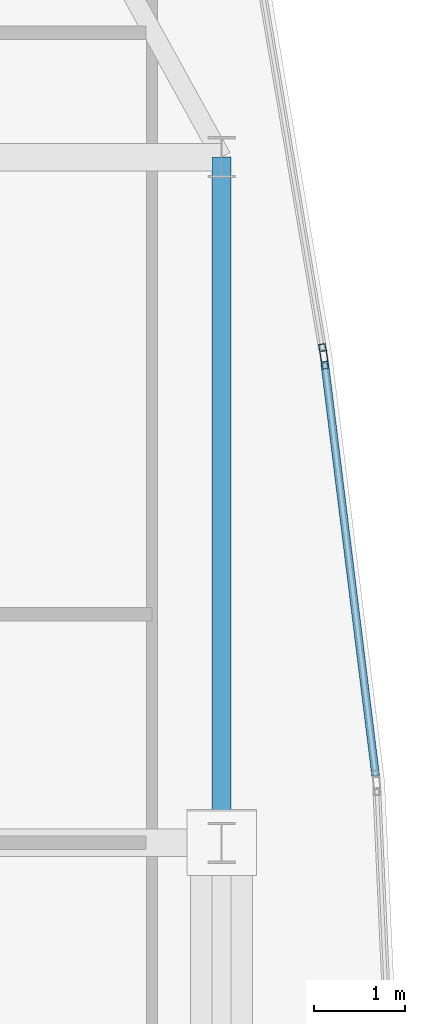
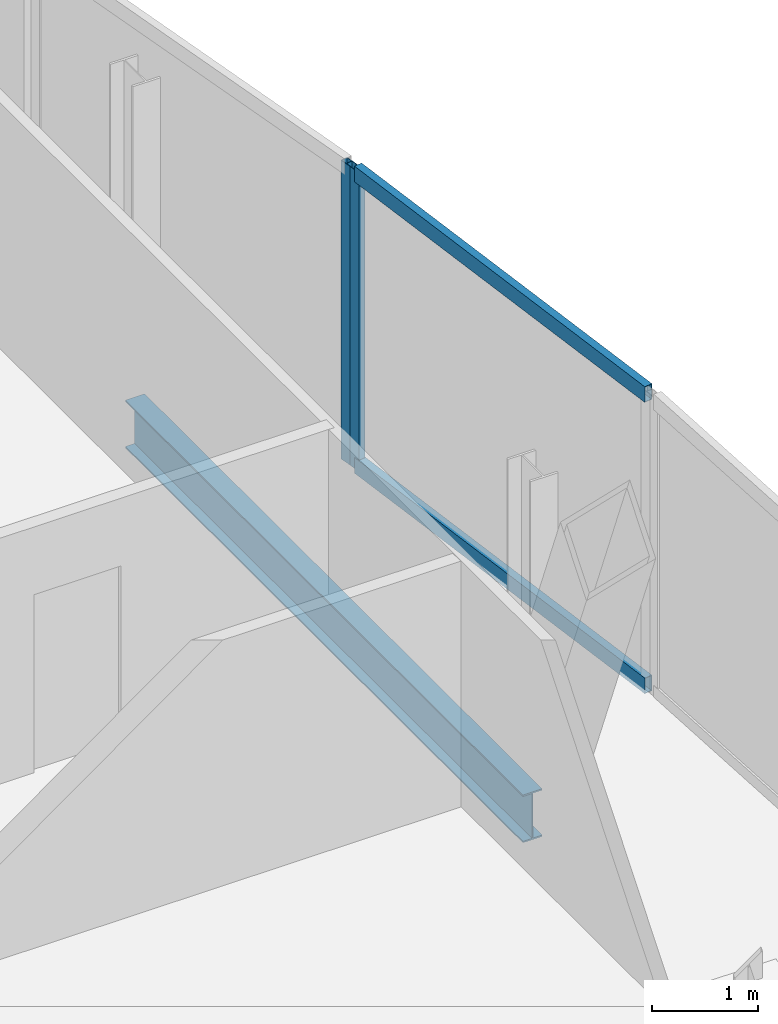
# One storey, part 19 of 29: 4 members, 1 beam, 2 elements without a shape of their own.
"""IFC4 building model written with IfcOpenShell, lengths in metres."""

from ifc_helpers import new_model, si_unit, direction, frame, origin, origin_2d, place, context, subcontext, project, spatial, hollow_rectangle, i_section, extrude, material, material_profile, profile_set, type_object, element, aggregate, save


model = new_model("IFC4")

# Units and contexts
model_context = context("Model", 3, precision=1e-05, world=origin(), true_north=direction((0.0, 1.0)))
body_context = subcontext(model_context, "Body", "Model", "MODEL_VIEW")
ifc_project = project(units=[si_unit("LENGTHUNIT", "METRE"), si_unit("AREAUNIT", "SQUARE_METRE"), si_unit("VOLUMEUNIT", "CUBIC_METRE"), si_unit("PLANEANGLEUNIT", "RADIAN"), si_unit("MASSUNIT", "GRAM", prefix="KILO")], contexts=[model_context])

# Site, building, storey
site_placement = place(None, origin())
site = spatial("IfcSite", under=ifc_project, at=site_placement, CompositionType="ELEMENT")
building_placement = place(site_placement, origin())
building = spatial("IfcBuilding", under=site, at=building_placement, Name="Khoronbel Lancet Exchange", CompositionType="ELEMENT")
storey_placement = place(building_placement, frame((0.0, 0.0, 336.199951171875)))
storey = spatial("IfcBuildingStorey", under=building, at=storey_placement, Name="L87", CompositionType="ELEMENT", Elevation=336.199951171875)

# Beam
ifc_material_1 = material(Name="Steel S355", Category="steel")
ifc_material_profile_1 = material_profile(ifc_material_1, i_section(OverallWidth=0.2099609375, OverallDepth=0.550048828125, WebThickness=0.010986328125, FlangeThickness=0.01708984375, at=origin_2d()), Name="IPE 550")
ifc_profile_set_1 = profile_set([ifc_material_profile_1], Name="Steel S355")
beam_type = type_object("IfcBeamType", Name="BM-BSP3", PredefinedType="SPANDREL", material=ifc_profile_set_1)
beam_placement = place(storey_placement, frame((61.6298828125, 35.699951171875, -0.43505859375), z_axis=(0.0, 1.0, 0.0), x_axis=(-1.0, 0.0, 0.0)))
element("IfcBeam", 1, at=beam_placement, inside=storey, type_object=beam_type, Name="Level L87 perimeter spandrel beam SP12", PredefinedType="SPANDREL", context=body_context, shape_type="SweptSolid", body=[
    extrude(i_section(OverallWidth=0.2099609375, OverallDepth=0.550048828125, WebThickness=0.010986328125, FlangeThickness=0.01708984375, at=origin_2d()), origin(), (0.0, 0.0, 1.0), 7.5),
])

# Curtain wall, member
ifc_material_2 = material(Name="Low-E Solar Control Insulating Glass", Category="glass")
curtain_wall_type = type_object("IfcCurtainWallType", Name="CW-4", PredefinedType="NOTDEFINED", material=ifc_material_2)
curtain_wall_1_placement = place(storey_placement, origin())
curtain_wall_1 = element("IfcCurtainWall", 2, at=curtain_wall_1_placement, inside=storey, type_object=curtain_wall_type, Name="Unitised curtain wall CW-L87-E17", PredefinedType="NOTDEFINED")
ifc_material_3 = material(Name="Bronze-Anodised Aluminium 6063-T6", Category="aluminium")
ifc_material_profile_2 = material_profile(ifc_material_3, hollow_rectangle(XDim=0.074951171875, YDim=0.199951171875, WallThickness=0.0048828125, at=origin_2d()), Name="ALU MULLION 75x200")
ifc_profile_set_2 = profile_set([ifc_material_profile_2], Name="Bronze-Anodised Aluminium 6063-T6")
member_type_1 = type_object("IfcMemberType", Name="MEM-CWM2", PredefinedType="MULLION", material=ifc_profile_set_2)
member_1_placement = place(storey_placement, frame((62.7421875, 41.057373046875, 0.0), z_axis=(0.0, 0.0, 1.0), x_axis=(0.986059939458, 0.166390491902, 0.0)))
member_1 = element("IfcMember", 3, at=member_1_placement, type_object=member_type_1, Name="CW4 mullion 2", PredefinedType="MULLION", context=body_context, shape_type="SweptSolid", body=[
    extrude(hollow_rectangle(XDim=0.074951171875, YDim=0.199951171875, WallThickness=0.0048828125, at=origin_2d()), origin(), (0.0, 0.0, 1.0), 3.43994140625),
])
aggregate(curtain_wall_1, [member_1])

# Curtain wall, members
curtain_wall_2_placement = place(storey_placement, origin())
curtain_wall_2 = element("IfcCurtainWall", 4, at=curtain_wall_2_placement, inside=storey, type_object=curtain_wall_type, Name="Unitised curtain wall CW-L87-E18", PredefinedType="NOTDEFINED")
member_2_placement = place(storey_placement, frame((62.7529296875, 40.983154296875, 0.0), z_axis=(0.0, 0.0, 1.0), x_axis=(0.992456344352, 0.122598550384, 0.0)))
member_2 = element("IfcMember", 5, at=member_2_placement, type_object=member_type_1, Name="CW4 mullion 1", PredefinedType="MULLION", context=body_context, shape_type="SweptSolid", body=[
    extrude(hollow_rectangle(XDim=0.074951171875, YDim=0.199951171875, WallThickness=0.0048828125, at=origin_2d()), origin(), (0.0, 0.0, 1.0), 3.43994140625),
])
ifc_material_profile_3 = material_profile(ifc_material_3, hollow_rectangle(XDim=0.0849609375, YDim=0.179931640625, WallThickness=0.0048828125, at=origin_2d()), Name="ALU TRANSOM 85x180")
ifc_profile_set_3 = profile_set([ifc_material_profile_3], Name="Bronze-Anodised Aluminium 6063-T6")
member_type_2 = type_object("IfcMemberType", Name="MEM-CWT1", PredefinedType="USERDEFINED", material=ifc_profile_set_3)
member_3_placement = place(storey_placement, frame((62.757568359375, 40.94580078125, 0.04248046875), z_axis=(0.122593829963, -0.992456927456, 0.0), x_axis=(0.992456927456, 0.122593829963, 0.0)))
member_3 = element("IfcMember", 6, at=member_3_placement, type_object=member_type_2, Name="CW4 transom 1.1", ObjectType="TRANSOM", PredefinedType="USERDEFINED", context=body_context, shape_type="SweptSolid", body=[
    extrude(hollow_rectangle(XDim=0.0849609375, YDim=0.179931640625, WallThickness=0.0048828125, at=origin_2d()), origin(), (0.0, 0.0, 1.0), 4.54638671875),
])
member_4_placement = place(storey_placement, frame((62.757568359375, 40.94580078125, 3.3974609375), z_axis=(0.122593829963, -0.992456927456, 0.0), x_axis=(0.992456927456, 0.122593829963, 0.0)))
member_4 = element("IfcMember", 7, at=member_4_placement, type_object=member_type_2, Name="CW4 transom 1.2", ObjectType="TRANSOM", PredefinedType="USERDEFINED", context=body_context, shape_type="SweptSolid", body=[
    extrude(hollow_rectangle(XDim=0.0849609375, YDim=0.179931640625, WallThickness=0.0048828125, at=origin_2d()), origin(), (0.0, 0.0, 1.0), 4.54638671875),
])
aggregate(curtain_wall_2, [member_2, member_3, member_4])

save(model, "model.ifc")
